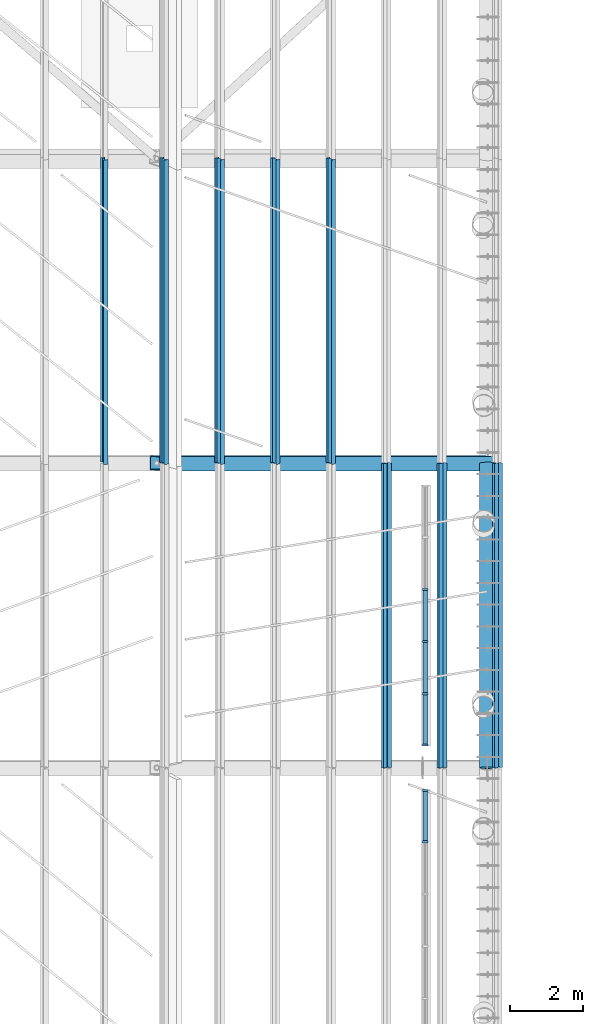
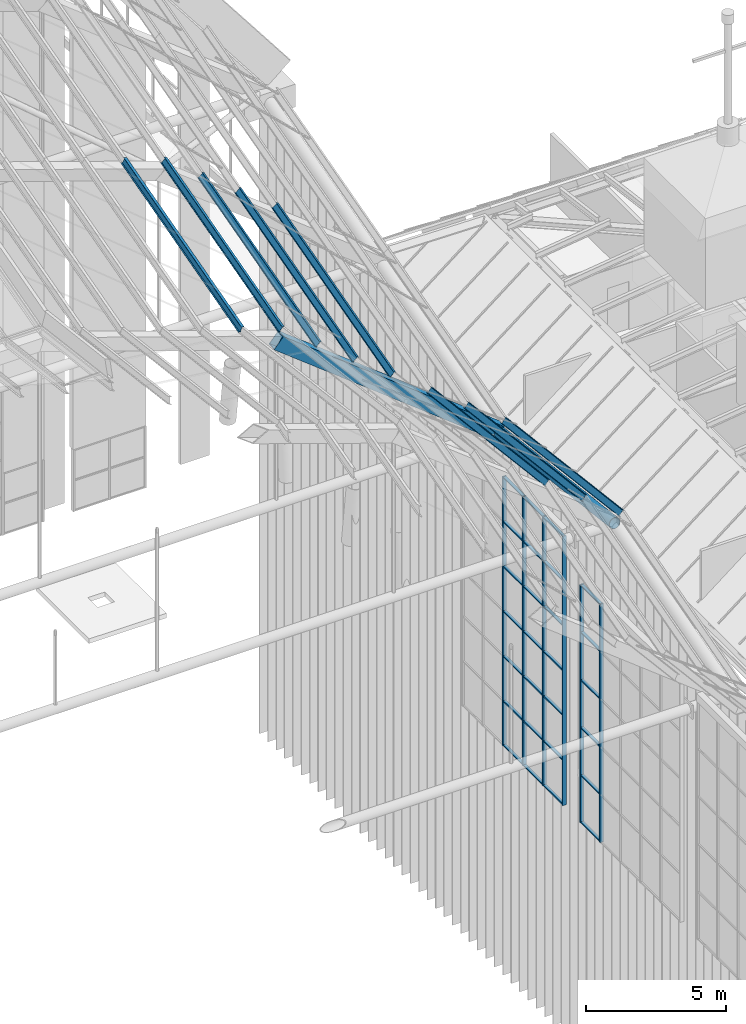
# One storey, part 48 of 126: 41 members, 2 beams, 2 elements without a shape of their own.
"""IFC4 building model written with IfcOpenShell, lengths in metres."""

from ifc_helpers import new_model, si_unit, direction, frame, origin, origin_2d, place, context, subcontext, project, spatial, polyline, rectangle, hollow_circle, i_section, outline, extrude, material, material_profile, profile_set, type_object, element, aggregate, save


model = new_model("IFC4")

# Units and contexts
model_context = context("Model", 3, precision=1e-05, world=origin(), true_north=direction((0.0, 1.0)))
body_context = subcontext(model_context, "Body", "Model", "MODEL_VIEW")
ifc_project = project(units=[si_unit("LENGTHUNIT", "METRE"), si_unit("AREAUNIT", "SQUARE_METRE"), si_unit("VOLUMEUNIT", "CUBIC_METRE"), si_unit("PLANEANGLEUNIT", "RADIAN"), si_unit("MASSUNIT", "GRAM", prefix="KILO")], contexts=[model_context])

# Site, building, storey
site_placement = place(None, origin())
site = spatial("IfcSite", under=ifc_project, at=site_placement, CompositionType="ELEMENT")
building_placement = place(site_placement, origin())
building = spatial("IfcBuilding", under=site, at=building_placement, Name="Sava Quay Ferry Terminal", CompositionType="ELEMENT")
storey_placement = place(building_placement, frame((0.0, 0.0, 15.0)))
storey = spatial("IfcBuildingStorey", under=building, at=storey_placement, Name="L03", CompositionType="ELEMENT", Elevation=15.0)

# Beams
ifc_material_1 = material(Name="Steel S355", Category="steel")
ifc_material_profile_1 = material_profile(ifc_material_1, outline(polyline([(-0.199951171875, -0.300048828125), (0.199951171875, -0.300048828125), (0.199951171875, 0.300048828125), (-0.199951171875, 0.300048828125), (-0.199951171875, -0.300048828125)]), holes=[polyline([(-0.175048828125, -0.27490234375), (-0.175048828125, 0.27490234375), (0.175048828125, 0.27490234375), (0.175048828125, -0.27490234375), (-0.175048828125, -0.27490234375)])]), Name="Box 600x400x25 built-up")
ifc_profile_set_1 = profile_set([ifc_material_profile_1], Name="Steel S355")
beam_type_1 = type_object("IfcBeamType", Name="D folded rib Box 600x400x25", PredefinedType="BEAM", material=ifc_profile_set_1)
beam_1_placement = place(storey_placement, frame((74.8701171875, 84.0, 18.162109375), z_axis=(0.788010316968, 0.0, -0.615662034198), x_axis=(0.0353461917, 0.998350589221, 0.04524099616)))
element("IfcBeam", 1, at=beam_1_placement, inside=storey, type_object=beam_type_1, Name="Departure hall folded rib R4 seg 5", PredefinedType="BEAM", context=body_context, shape_type="SweptSolid", body=[
    extrude(outline(polyline([(-0.199951171875, -0.300048828125), (0.199951171875, -0.300048828125), (0.199951171875, 0.300048828125), (-0.199951171875, 0.300048828125), (-0.199951171875, -0.300048828125)]), holes=[polyline([(-0.175048828125, -0.27490234375), (-0.175048828125, 0.27490234375), (0.175048828125, 0.27490234375), (0.175048828125, -0.27490234375), (-0.175048828125, -0.27490234375)])]), origin(), (0.0, 0.0, 1.0), 11.5859375),
])
ifc_material_2 = material(Name="Steel S355", Category="steel")
ifc_material_profile_2 = material_profile(ifc_material_2, hollow_circle(Radius=0.228515625, WallThickness=0.01611328125, at=origin_2d()), Name="CHS 457 x 16.0")
ifc_profile_set_2 = profile_set([ifc_material_profile_2], Name="Steel S355")
beam_type_2 = type_object("IfcBeamType", Name="Eave beam CHS 457x16", PredefinedType="BEAM", material=ifc_profile_set_2)
beam_2_placement = place(storey_placement, frame((84.0, 75.60009765625, 12.071044921875), z_axis=(0.0, 0.992393702798, -0.123104584187), x_axis=(-1.0, 0.0, 0.0)))
element("IfcBeam", 2, at=beam_2_placement, inside=storey, type_object=beam_type_2, Name="Departure hall eave beam R4", PredefinedType="BEAM", context=body_context, shape_type="SweptSolid", body=[
    extrude(hollow_circle(Radius=0.228515625, WallThickness=0.01611328125, at=origin_2d()), origin(), (0.0, 0.0, 1.0), 8.46435546875),
])

# Curtain wall, members
ifc_material_3 = material(Name="Aluminium and glass curtain wall, double low-e glazed", Category="aluminium")
curtain_wall_type = type_object("IfcCurtainWallType", Name="Curtain wall CW-F flank", PredefinedType="NOTDEFINED", material=ifc_material_3)
curtain_wall_1_placement = place(storey_placement, origin())
curtain_wall_1 = element("IfcCurtainWall", 3, at=curtain_wall_1_placement, inside=storey, type_object=curtain_wall_type, Name="Curtain wall D-E L03 bay 3", PredefinedType="NOTDEFINED")
ifc_material_4 = material(Name="Aluminium EN AW-6063 T6", Category="aluminium")
ifc_material_profile_3 = material_profile(ifc_material_4, rectangle(XDim=0.14990234375, YDim=0.06005859375, at=origin_2d()), Name="Mullion 60x150 aluminium")
ifc_profile_set_3 = profile_set([ifc_material_profile_3], Name="Aluminium EN AW-6063 T6")
member_type_1 = type_object("IfcMemberType", Name="Mullion 60x150 aluminium", PredefinedType="MULLION", material=ifc_profile_set_3)
member_1_placement = place(storey_placement, frame((82.27490234375, 73.56005859375, 0.0), z_axis=(0.0, 0.0, 1.0), x_axis=(-1.0, 0.0, 0.0)))
member_1 = element("IfcMember", 4, at=member_1_placement, type_object=member_type_1, Name="CW47 mullion 5", PredefinedType="MULLION", context=body_context, shape_type="SweptSolid", body=[
    extrude(rectangle(XDim=0.14990234375, YDim=0.06005859375, at=origin_2d()), origin(), (0.0, 0.0, 1.0), 10.39990234375),
])
member_2_placement = place(storey_placement, frame((82.27490234375, 74.969970703125, 0.0), z_axis=(0.0, 0.0, 1.0), x_axis=(-1.0, 0.0, 0.0)))
member_2 = element("IfcMember", 5, at=member_2_placement, type_object=member_type_1, Name="CW47 mullion 6", PredefinedType="MULLION", context=body_context, shape_type="SweptSolid", body=[
    extrude(rectangle(XDim=0.14990234375, YDim=0.06005859375, at=origin_2d()), origin(), (0.0, 0.0, 1.0), 10.39990234375),
])

curtain_wall_2_placement = place(storey_placement, origin())
curtain_wall_2 = element("IfcCurtainWall", 6, at=curtain_wall_2_placement, inside=storey, type_object=curtain_wall_type, Name="Curtain wall D-E L03 bay 4", PredefinedType="NOTDEFINED")
member_3_placement = place(storey_placement, frame((82.27490234375, 76.22998046875, 0.0), z_axis=(0.0, 0.0, 1.0), x_axis=(-1.0, 0.0, 0.0)))
member_3 = element("IfcMember", 7, at=member_3_placement, type_object=member_type_1, Name="CW50 mullion 1", PredefinedType="MULLION", context=body_context, shape_type="SweptSolid", body=[
    extrude(rectangle(XDim=0.14990234375, YDim=0.06005859375, at=origin_2d()), origin(), (0.0, 0.0, 1.0), 11.75),
])
member_4_placement = place(storey_placement, frame((82.27490234375, 77.639892578125, 0.0), z_axis=(0.0, 0.0, 1.0), x_axis=(-1.0, 0.0, 0.0)))
member_4 = element("IfcMember", 8, at=member_4_placement, type_object=member_type_1, Name="CW50 mullion 2", PredefinedType="MULLION", context=body_context, shape_type="SweptSolid", body=[
    extrude(rectangle(XDim=0.14990234375, YDim=0.06005859375, at=origin_2d()), origin(), (0.0, 0.0, 1.0), 11.75),
])
member_5_placement = place(storey_placement, frame((82.27490234375, 79.080078125, 0.0), z_axis=(0.0, 0.0, 1.0), x_axis=(-1.0, 0.0, 0.0)))
member_5 = element("IfcMember", 9, at=member_5_placement, type_object=member_type_1, Name="CW50 mullion 3", PredefinedType="MULLION", context=body_context, shape_type="SweptSolid", body=[
    extrude(rectangle(XDim=0.14990234375, YDim=0.06005859375, at=origin_2d()), origin(), (0.0, 0.0, 1.0), 11.75),
])
member_6_placement = place(storey_placement, frame((82.27490234375, 80.52001953125, 0.0), z_axis=(0.0, 0.0, 1.0), x_axis=(-1.0, 0.0, 0.0)))
member_6 = element("IfcMember", 10, at=member_6_placement, type_object=member_type_1, Name="CW50 mullion 4", PredefinedType="MULLION", context=body_context, shape_type="SweptSolid", body=[
    extrude(rectangle(XDim=0.14990234375, YDim=0.06005859375, at=origin_2d()), origin(), (0.0, 0.0, 1.0), 11.75),
])

# Members
ifc_material_5 = material(Name="Steel S355", Category="steel")
ifc_material_profile_4 = material_profile(ifc_material_5, i_section(OverallWidth=0.135009765625, OverallDepth=0.27001953125, WebThickness=0.006591796875, FlangeThickness=0.01025390625, at=origin_2d()), Name="IPE 270")
ifc_profile_set_4 = profile_set([ifc_material_profile_4], Name="Steel S355")
member_type_2 = type_object("IfcMemberType", Name="Roof purlin IPE 270", PredefinedType="PURLIN", material=ifc_profile_set_4)
for number, where, z_axis, x_axis, name in (
    (11, (81.2041015625, 75.60009765625, 14.81005859375), (0.0, 0.992393702798, -0.123104584187), (-0.790283793055, 0.075431225352, 0.608080304463), "Departure hall purlin bay 4 M4.4"),
    (12, (82.7353515625, 75.60009765625, 13.61376953125), (0.0, 0.992393702798, -0.123104584187), (-0.790283793055, 0.075431225352, 0.608080304463), "Departure hall purlin bay 4 M4.5"),
    (13, (84.2666015625, 75.60009765625, 12.41748046875), (0.0, 0.992393702798, -0.123104584187), (-0.790283793055, 0.075431225352, 0.608080304463), "Departure hall edge purlin bay 4 V5"),
):
    element("IfcMember", number, at=place(storey_placement, frame(where, z_axis=z_axis, x_axis=x_axis)), inside=storey, type_object=member_type_2, Name=name, PredefinedType="PURLIN", context=body_context, shape_type="SweptSolid", body=[
        extrude(i_section(OverallWidth=0.135009765625, OverallDepth=0.27001953125, WebThickness=0.006591796875, FlangeThickness=0.01025390625, at=origin_2d()), origin(), (0.0, 0.0, 1.0), 8.46435546875),
    ])
for number, where, z_axis, x_axis, name in (
    (14, (73.424072265625, 84.0, 19.13525390625), (0.0, 0.964560390264, 0.263862186629), (-0.949027169883, -0.083167850544, 0.304023912646), "Departure hall purlin bay 5 M3.5"),
    (15, (75.07470703125, 84.0, 18.56689453125), (0.0, 0.964560390264, 0.263862186629), (-0.885499005285, -0.122601262026, 0.448174566646), "Departure hall purlin bay 5 V4"),
    (16, (76.60595703125, 84.0, 17.37060546875), (0.0, 0.964560390264, 0.263862186629), (-0.798620025874, -0.158801649701, 0.58050675304), "Departure hall purlin bay 5 M4.1"),
    (17, (78.13720703125, 84.0, 16.17431640625), (0.0, 0.964560390264, 0.263862186629), (-0.798620025874, -0.158801649701, 0.58050675304), "Departure hall purlin bay 5 M4.2"),
    (18, (79.668212890625, 84.0, 14.97802734375), (0.0, 0.964560390264, 0.263862186629), (-0.798620025874, -0.158801649701, 0.58050675304), "Departure hall purlin bay 5 M4.3"),
):
    element("IfcMember", number, at=place(storey_placement, frame(where, z_axis=z_axis, x_axis=x_axis)), inside=storey, type_object=member_type_2, Name=name, PredefinedType="PURLIN", context=body_context, shape_type="SweptSolid", body=[
        extrude(i_section(OverallWidth=0.135009765625, OverallDepth=0.27001953125, WebThickness=0.006591796875, FlangeThickness=0.01025390625, at=origin_2d()), origin(), (0.0, 0.0, 1.0), 8.70849609375),
    ])

# Member
ifc_material_6 = material(Name="Aluminium EN AW-6063 T6", Category="aluminium")
ifc_material_profile_5 = material_profile(ifc_material_6, rectangle(XDim=0.1201171875, YDim=0.050048828125, at=origin_2d()), Name="Transom 50x120 aluminium")
ifc_profile_set_5 = profile_set([ifc_material_profile_5], Name="Aluminium EN AW-6063 T6")
member_type_3 = type_object("IfcMemberType", Name="Transom 50x120 aluminium", PredefinedType="USERDEFINED", material=ifc_profile_set_5)
member_7_placement = place(storey_placement, frame((82.27490234375, 73.590087890625, 0.02490234375), z_axis=(0.0, 1.0, 0.0), x_axis=(-1.0, 0.0, 0.0)))
member_7 = element("IfcMember", 19, at=member_7_placement, type_object=member_type_3, Name="CW47 transom 5.1", ObjectType="TRANSOM", PredefinedType="USERDEFINED", context=body_context, shape_type="SweptSolid", body=[
    extrude(rectangle(XDim=0.1201171875, YDim=0.050048828125, at=origin_2d()), origin(), (0.0, 0.0, 1.0), 1.349853515625),
])

member_8_placement = place(storey_placement, frame((82.27490234375, 73.590087890625, 2.080078125), z_axis=(0.0, 1.0, 0.0), x_axis=(-1.0, 0.0, 0.0)))
member_8 = element("IfcMember", 20, at=member_8_placement, type_object=member_type_3, Name="CW47 transom 5.2", ObjectType="TRANSOM", PredefinedType="USERDEFINED", context=body_context, shape_type="SweptSolid", body=[
    extrude(rectangle(XDim=0.1201171875, YDim=0.050048828125, at=origin_2d()), origin(), (0.0, 0.0, 1.0), 1.349853515625),
])

member_9_placement = place(storey_placement, frame((82.27490234375, 73.590087890625, 4.159912109375), z_axis=(0.0, 1.0, 0.0), x_axis=(-1.0, 0.0, 0.0)))
member_9 = element("IfcMember", 21, at=member_9_placement, type_object=member_type_3, Name="CW47 transom 5.3", ObjectType="TRANSOM", PredefinedType="USERDEFINED", context=body_context, shape_type="SweptSolid", body=[
    extrude(rectangle(XDim=0.1201171875, YDim=0.050048828125, at=origin_2d()), origin(), (0.0, 0.0, 1.0), 1.349853515625),
])

member_10_placement = place(storey_placement, frame((82.27490234375, 73.590087890625, 6.239990234375), z_axis=(0.0, 1.0, 0.0), x_axis=(-1.0, 0.0, 0.0)))
member_10 = element("IfcMember", 22, at=member_10_placement, type_object=member_type_3, Name="CW47 transom 5.4", ObjectType="TRANSOM", PredefinedType="USERDEFINED", context=body_context, shape_type="SweptSolid", body=[
    extrude(rectangle(XDim=0.1201171875, YDim=0.050048828125, at=origin_2d()), origin(), (0.0, 0.0, 1.0), 1.349853515625),
])

member_11_placement = place(storey_placement, frame((82.27490234375, 73.590087890625, 8.320068359375), z_axis=(0.0, 1.0, 0.0), x_axis=(-1.0, 0.0, 0.0)))
member_11 = element("IfcMember", 23, at=member_11_placement, type_object=member_type_3, Name="CW47 transom 5.5", ObjectType="TRANSOM", PredefinedType="USERDEFINED", context=body_context, shape_type="SweptSolid", body=[
    extrude(rectangle(XDim=0.1201171875, YDim=0.050048828125, at=origin_2d()), origin(), (0.0, 0.0, 1.0), 1.349853515625),
])

member_12_placement = place(storey_placement, frame((82.27490234375, 73.590087890625, 10.375), z_axis=(0.0, 1.0, 0.0), x_axis=(-1.0, 0.0, 0.0)))
member_12 = element("IfcMember", 24, at=member_12_placement, type_object=member_type_3, Name="CW47 transom 5.6", ObjectType="TRANSOM", PredefinedType="USERDEFINED", context=body_context, shape_type="SweptSolid", body=[
    extrude(rectangle(XDim=0.1201171875, YDim=0.050048828125, at=origin_2d()), origin(), (0.0, 0.0, 1.0), 1.349853515625),
])

aggregate(curtain_wall_1, [member_1, member_2, member_7, member_8, member_9, member_10, member_11, member_12])

member_13_placement = place(storey_placement, frame((82.27490234375, 76.260009765625, 0.02490234375), z_axis=(0.0, 1.0, 0.0), x_axis=(-1.0, 0.0, 0.0)))
member_13 = element("IfcMember", 25, at=member_13_placement, type_object=member_type_3, Name="CW50 transom 1.1", ObjectType="TRANSOM", PredefinedType="USERDEFINED", context=body_context, shape_type="SweptSolid", body=[
    extrude(rectangle(XDim=0.1201171875, YDim=0.050048828125, at=origin_2d()), origin(), (0.0, 0.0, 1.0), 1.35009765625),
])

member_14_placement = place(storey_placement, frame((82.27490234375, 76.260009765625, 1.958251953125), z_axis=(0.0, 1.0, 0.0), x_axis=(-1.0, 0.0, 0.0)))
member_14 = element("IfcMember", 26, at=member_14_placement, type_object=member_type_3, Name="CW50 transom 1.2", ObjectType="TRANSOM", PredefinedType="USERDEFINED", context=body_context, shape_type="SweptSolid", body=[
    extrude(rectangle(XDim=0.1201171875, YDim=0.050048828125, at=origin_2d()), origin(), (0.0, 0.0, 1.0), 1.35009765625),
])

member_15_placement = place(storey_placement, frame((82.27490234375, 76.260009765625, 3.916748046875), z_axis=(0.0, 1.0, 0.0), x_axis=(-1.0, 0.0, 0.0)))
member_15 = element("IfcMember", 27, at=member_15_placement, type_object=member_type_3, Name="CW50 transom 1.3", ObjectType="TRANSOM", PredefinedType="USERDEFINED", context=body_context, shape_type="SweptSolid", body=[
    extrude(rectangle(XDim=0.1201171875, YDim=0.050048828125, at=origin_2d()), origin(), (0.0, 0.0, 1.0), 1.35009765625),
])

member_16_placement = place(storey_placement, frame((82.27490234375, 76.260009765625, 5.875), z_axis=(0.0, 1.0, 0.0), x_axis=(-1.0, 0.0, 0.0)))
member_16 = element("IfcMember", 28, at=member_16_placement, type_object=member_type_3, Name="CW50 transom 1.4", ObjectType="TRANSOM", PredefinedType="USERDEFINED", context=body_context, shape_type="SweptSolid", body=[
    extrude(rectangle(XDim=0.1201171875, YDim=0.050048828125, at=origin_2d()), origin(), (0.0, 0.0, 1.0), 1.35009765625),
])

member_17_placement = place(storey_placement, frame((82.27490234375, 76.260009765625, 7.833251953125), z_axis=(0.0, 1.0, 0.0), x_axis=(-1.0, 0.0, 0.0)))
member_17 = element("IfcMember", 29, at=member_17_placement, type_object=member_type_3, Name="CW50 transom 1.5", ObjectType="TRANSOM", PredefinedType="USERDEFINED", context=body_context, shape_type="SweptSolid", body=[
    extrude(rectangle(XDim=0.1201171875, YDim=0.050048828125, at=origin_2d()), origin(), (0.0, 0.0, 1.0), 1.35009765625),
])

member_18_placement = place(storey_placement, frame((82.27490234375, 76.260009765625, 9.791748046875), z_axis=(0.0, 1.0, 0.0), x_axis=(-1.0, 0.0, 0.0)))
member_18 = element("IfcMember", 30, at=member_18_placement, type_object=member_type_3, Name="CW50 transom 1.6", ObjectType="TRANSOM", PredefinedType="USERDEFINED", context=body_context, shape_type="SweptSolid", body=[
    extrude(rectangle(XDim=0.1201171875, YDim=0.050048828125, at=origin_2d()), origin(), (0.0, 0.0, 1.0), 1.35009765625),
])

member_19_placement = place(storey_placement, frame((82.27490234375, 76.260009765625, 11.72509765625), z_axis=(0.0, 1.0, 0.0), x_axis=(-1.0, 0.0, 0.0)))
member_19 = element("IfcMember", 31, at=member_19_placement, type_object=member_type_3, Name="CW50 transom 1.7", ObjectType="TRANSOM", PredefinedType="USERDEFINED", context=body_context, shape_type="SweptSolid", body=[
    extrude(rectangle(XDim=0.1201171875, YDim=0.050048828125, at=origin_2d()), origin(), (0.0, 0.0, 1.0), 1.35009765625),
])

member_20_placement = place(storey_placement, frame((82.27490234375, 77.669921875, 0.02490234375), z_axis=(0.0, 1.0, 0.0), x_axis=(-1.0, 0.0, 0.0)))
member_20 = element("IfcMember", 32, at=member_20_placement, type_object=member_type_3, Name="CW50 transom 2.1", ObjectType="TRANSOM", PredefinedType="USERDEFINED", context=body_context, shape_type="SweptSolid", body=[
    extrude(rectangle(XDim=0.1201171875, YDim=0.050048828125, at=origin_2d()), origin(), (0.0, 0.0, 1.0), 1.380126953125),
])

member_21_placement = place(storey_placement, frame((82.27490234375, 77.669921875, 1.958251953125), z_axis=(0.0, 1.0, 0.0), x_axis=(-1.0, 0.0, 0.0)))
member_21 = element("IfcMember", 33, at=member_21_placement, type_object=member_type_3, Name="CW50 transom 2.2", ObjectType="TRANSOM", PredefinedType="USERDEFINED", context=body_context, shape_type="SweptSolid", body=[
    extrude(rectangle(XDim=0.1201171875, YDim=0.050048828125, at=origin_2d()), origin(), (0.0, 0.0, 1.0), 1.380126953125),
])

member_22_placement = place(storey_placement, frame((82.27490234375, 77.669921875, 3.916748046875), z_axis=(0.0, 1.0, 0.0), x_axis=(-1.0, 0.0, 0.0)))
member_22 = element("IfcMember", 34, at=member_22_placement, type_object=member_type_3, Name="CW50 transom 2.3", ObjectType="TRANSOM", PredefinedType="USERDEFINED", context=body_context, shape_type="SweptSolid", body=[
    extrude(rectangle(XDim=0.1201171875, YDim=0.050048828125, at=origin_2d()), origin(), (0.0, 0.0, 1.0), 1.380126953125),
])

member_23_placement = place(storey_placement, frame((82.27490234375, 77.669921875, 5.875), z_axis=(0.0, 1.0, 0.0), x_axis=(-1.0, 0.0, 0.0)))
member_23 = element("IfcMember", 35, at=member_23_placement, type_object=member_type_3, Name="CW50 transom 2.4", ObjectType="TRANSOM", PredefinedType="USERDEFINED", context=body_context, shape_type="SweptSolid", body=[
    extrude(rectangle(XDim=0.1201171875, YDim=0.050048828125, at=origin_2d()), origin(), (0.0, 0.0, 1.0), 1.380126953125),
])

member_24_placement = place(storey_placement, frame((82.27490234375, 77.669921875, 7.833251953125), z_axis=(0.0, 1.0, 0.0), x_axis=(-1.0, 0.0, 0.0)))
member_24 = element("IfcMember", 36, at=member_24_placement, type_object=member_type_3, Name="CW50 transom 2.5", ObjectType="TRANSOM", PredefinedType="USERDEFINED", context=body_context, shape_type="SweptSolid", body=[
    extrude(rectangle(XDim=0.1201171875, YDim=0.050048828125, at=origin_2d()), origin(), (0.0, 0.0, 1.0), 1.380126953125),
])

member_25_placement = place(storey_placement, frame((82.27490234375, 77.669921875, 9.791748046875), z_axis=(0.0, 1.0, 0.0), x_axis=(-1.0, 0.0, 0.0)))
member_25 = element("IfcMember", 37, at=member_25_placement, type_object=member_type_3, Name="CW50 transom 2.6", ObjectType="TRANSOM", PredefinedType="USERDEFINED", context=body_context, shape_type="SweptSolid", body=[
    extrude(rectangle(XDim=0.1201171875, YDim=0.050048828125, at=origin_2d()), origin(), (0.0, 0.0, 1.0), 1.380126953125),
])

member_26_placement = place(storey_placement, frame((82.27490234375, 77.669921875, 11.72509765625), z_axis=(0.0, 1.0, 0.0), x_axis=(-1.0, 0.0, 0.0)))
member_26 = element("IfcMember", 38, at=member_26_placement, type_object=member_type_3, Name="CW50 transom 2.7", ObjectType="TRANSOM", PredefinedType="USERDEFINED", context=body_context, shape_type="SweptSolid", body=[
    extrude(rectangle(XDim=0.1201171875, YDim=0.050048828125, at=origin_2d()), origin(), (0.0, 0.0, 1.0), 1.380126953125),
])

member_27_placement = place(storey_placement, frame((82.27490234375, 79.110107421875, 0.02490234375), z_axis=(0.0, 1.0, 0.0), x_axis=(-1.0, 0.0, 0.0)))
member_27 = element("IfcMember", 39, at=member_27_placement, type_object=member_type_3, Name="CW50 transom 3.1", ObjectType="TRANSOM", PredefinedType="USERDEFINED", context=body_context, shape_type="SweptSolid", body=[
    extrude(rectangle(XDim=0.1201171875, YDim=0.050048828125, at=origin_2d()), origin(), (0.0, 0.0, 1.0), 1.3798828125),
])

member_28_placement = place(storey_placement, frame((82.27490234375, 79.110107421875, 1.958251953125), z_axis=(0.0, 1.0, 0.0), x_axis=(-1.0, 0.0, 0.0)))
member_28 = element("IfcMember", 40, at=member_28_placement, type_object=member_type_3, Name="CW50 transom 3.2", ObjectType="TRANSOM", PredefinedType="USERDEFINED", context=body_context, shape_type="SweptSolid", body=[
    extrude(rectangle(XDim=0.1201171875, YDim=0.050048828125, at=origin_2d()), origin(), (0.0, 0.0, 1.0), 1.3798828125),
])

member_29_placement = place(storey_placement, frame((82.27490234375, 79.110107421875, 3.916748046875), z_axis=(0.0, 1.0, 0.0), x_axis=(-1.0, 0.0, 0.0)))
member_29 = element("IfcMember", 41, at=member_29_placement, type_object=member_type_3, Name="CW50 transom 3.3", ObjectType="TRANSOM", PredefinedType="USERDEFINED", context=body_context, shape_type="SweptSolid", body=[
    extrude(rectangle(XDim=0.1201171875, YDim=0.050048828125, at=origin_2d()), origin(), (0.0, 0.0, 1.0), 1.3798828125),
])

member_30_placement = place(storey_placement, frame((82.27490234375, 79.110107421875, 5.875), z_axis=(0.0, 1.0, 0.0), x_axis=(-1.0, 0.0, 0.0)))
member_30 = element("IfcMember", 42, at=member_30_placement, type_object=member_type_3, Name="CW50 transom 3.4", ObjectType="TRANSOM", PredefinedType="USERDEFINED", context=body_context, shape_type="SweptSolid", body=[
    extrude(rectangle(XDim=0.1201171875, YDim=0.050048828125, at=origin_2d()), origin(), (0.0, 0.0, 1.0), 1.3798828125),
])

member_31_placement = place(storey_placement, frame((82.27490234375, 79.110107421875, 7.833251953125), z_axis=(0.0, 1.0, 0.0), x_axis=(-1.0, 0.0, 0.0)))
member_31 = element("IfcMember", 43, at=member_31_placement, type_object=member_type_3, Name="CW50 transom 3.5", ObjectType="TRANSOM", PredefinedType="USERDEFINED", context=body_context, shape_type="SweptSolid", body=[
    extrude(rectangle(XDim=0.1201171875, YDim=0.050048828125, at=origin_2d()), origin(), (0.0, 0.0, 1.0), 1.3798828125),
])

member_32_placement = place(storey_placement, frame((82.27490234375, 79.110107421875, 9.791748046875), z_axis=(0.0, 1.0, 0.0), x_axis=(-1.0, 0.0, 0.0)))
member_32 = element("IfcMember", 44, at=member_32_placement, type_object=member_type_3, Name="CW50 transom 3.6", ObjectType="TRANSOM", PredefinedType="USERDEFINED", context=body_context, shape_type="SweptSolid", body=[
    extrude(rectangle(XDim=0.1201171875, YDim=0.050048828125, at=origin_2d()), origin(), (0.0, 0.0, 1.0), 1.3798828125),
])

member_33_placement = place(storey_placement, frame((82.27490234375, 79.110107421875, 11.72509765625), z_axis=(0.0, 1.0, 0.0), x_axis=(-1.0, 0.0, 0.0)))
member_33 = element("IfcMember", 45, at=member_33_placement, type_object=member_type_3, Name="CW50 transom 3.7", ObjectType="TRANSOM", PredefinedType="USERDEFINED", context=body_context, shape_type="SweptSolid", body=[
    extrude(rectangle(XDim=0.1201171875, YDim=0.050048828125, at=origin_2d()), origin(), (0.0, 0.0, 1.0), 1.3798828125),
])

aggregate(curtain_wall_2, [member_3, member_4, member_5, member_6, member_13, member_14, member_15, member_16, member_17, member_18, member_19, member_20, member_21, member_22, member_23, member_24, member_25, member_26, member_27, member_28, member_29, member_30, member_31, member_32, member_33])

save(model, "model.ifc")
